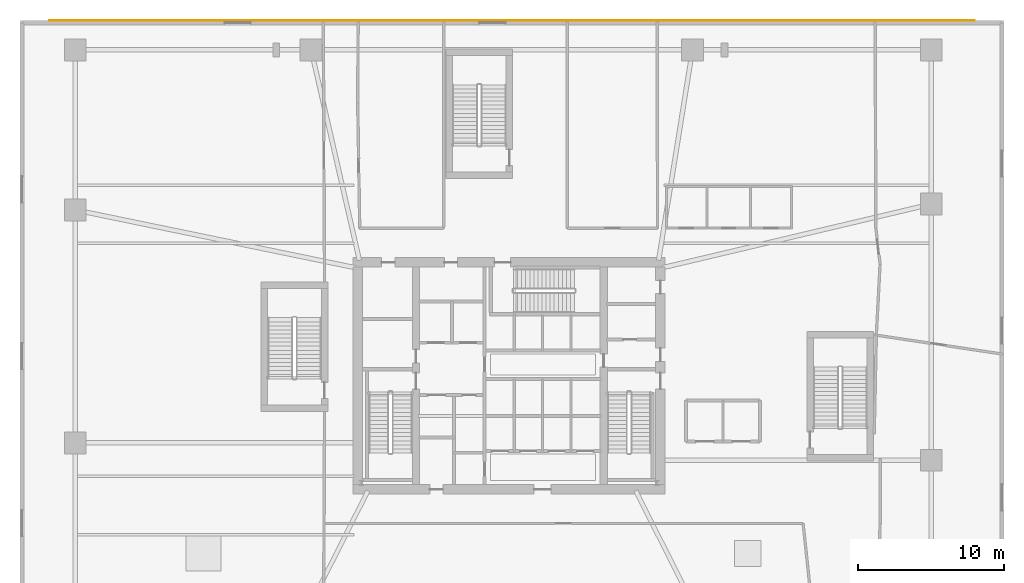
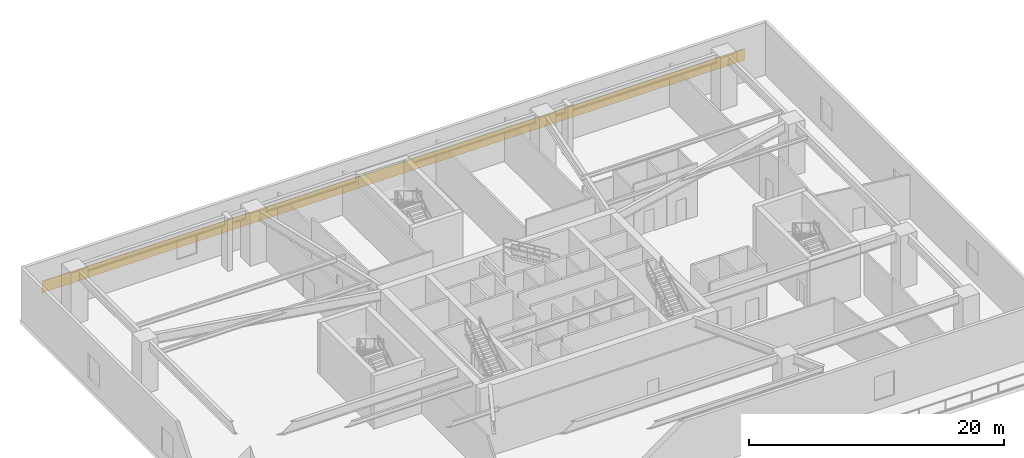
# One storey, part 11 of 11: 1 covering.
"""IFC4 building model written with IfcOpenShell, lengths in metres."""

import ifcopenshell
import ifcopenshell.guid

model = None  # the IFC model being written
_history = None  # IfcOwnerHistory: only IFC2X3 demands one
_inside = {}  # id of a spatial element -> (the spatial element, [elements in it])
_under = {}  # id of a project, library or spatial element -> (it, [spatial elements below it])
_declared = {}  # id of a project -> (the project, [libraries it declares])
_typed = {}  # id of a type object -> (the type object, [elements of that type])
_made_of = {}  # id of a material, layer set ... -> (it, [elements and type objects made of it])


def new_model(schema):
    """Start an empty IFC model of exactly this schema.

    Asked for "IFC4X3", IfcOpenShell would pick the latest addendum, in which some entities
    have other attributes; the version numbers below select the first issue.
    IFC2X3 requires an IfcOwnerHistory on every rooted entity: one is made here for all.
    """
    global model, _history
    if schema == "IFC4X3":
        model = ifcopenshell.file(schema_version=(4, 3, 0, 0))
    else:
        model = ifcopenshell.file(schema=schema)
    _inside.clear()
    _under.clear()
    _declared.clear()
    _typed.clear()
    _made_of.clear()
    _history = None
    if model.schema == "IFC2X3":
        org = make("IfcOrganization", Name="unknown")
        user = make(
            "IfcPersonAndOrganization",
            ThePerson=make("IfcPerson", FamilyName="unknown"),
            TheOrganization=org,
        )
        app = make(
            "IfcApplication",
            ApplicationDeveloper=org,
            Version="unknown",
            ApplicationFullName="unknown",
            ApplicationIdentifier="unknown",
        )
        _history = make(
            "IfcOwnerHistory",
            OwningUser=user,
            OwningApplication=app,
            ChangeAction="ADDED",
            CreationDate=0,
        )
    return model


def make(cls, **values):
    """One entity of the class cls with the attributes given. An attribute that is None is left unset."""
    return model.create_entity(
        cls, **{name: value for name, value in values.items() if value is not None}
    )


def rooted(cls, **values):
    """An entity with a GlobalId (a new one), such as an element, a storey or a relation."""
    return make(cls, GlobalId=ifcopenshell.guid.new(), OwnerHistory=_history, **values)


def si_unit(unit_type, name, prefix=None):
    """IfcSIUnit, for example si_unit("LENGTHUNIT", "METRE", prefix="MILLI")."""
    return make("IfcSIUnit", UnitType=unit_type, Prefix=prefix, Name=name)


def assignment(units):
    """IfcUnitAssignment: the units of a project."""
    return None if units is None else make("IfcUnitAssignment", Units=units)


def point(xyz):
    """IfcCartesianPoint."""
    return None if xyz is None else make("IfcCartesianPoint", Coordinates=xyz)


def direction(xyz):
    """IfcDirection."""
    return None if xyz is None else make("IfcDirection", DirectionRatios=xyz)


def frame(location, z_axis=None, x_axis=None):
    """IfcAxis2Placement3D, a coordinate frame: its origin and axes. An axis left out is left unset."""
    return make(
        "IfcAxis2Placement3D",
        Location=point(location),
        Axis=direction(z_axis),
        RefDirection=direction(x_axis),
    )


def frame_2d(location, x_axis=None):
    """IfcAxis2Placement2D, a coordinate frame in the plane: its origin and x axis."""
    return make(
        "IfcAxis2Placement2D", Location=point(location), RefDirection=direction(x_axis)
    )


def origin():
    """The frame at (0, 0, 0) with its axes left unset."""
    return frame((0.0, 0.0, 0.0))


def origin_2d():
    """The frame at (0, 0) in the plane with its x axis left unset."""
    return frame_2d((0.0, 0.0))


def place(relative_to, where):
    """IfcLocalPlacement: puts the frame where relative to a parent placement (None: the world)."""
    return make(
        "IfcLocalPlacement", PlacementRelTo=relative_to, RelativePlacement=where
    )


def context(
    kind, dimensions, precision=None, world=None, true_north=None, identifier=None
):
    """IfcGeometricRepresentationContext, for example the 3D "Model" context."""
    return make(
        "IfcGeometricRepresentationContext",
        ContextIdentifier=identifier,
        ContextType=kind,
        CoordinateSpaceDimension=dimensions,
        Precision=precision,
        WorldCoordinateSystem=world,
        TrueNorth=true_north,
    )


def subcontext(parent, identifier, kind, view, scale=None):
    """IfcGeometricRepresentationSubContext, for example "Body" below "Model"."""
    return make(
        "IfcGeometricRepresentationSubContext",
        ContextIdentifier=identifier,
        ContextType=kind,
        ParentContext=parent,
        TargetScale=scale,
        TargetView=view,
    )


def project(units=None, contexts=None):
    """IfcProject with its units and contexts."""
    return rooted(
        "IfcProject",
        Name="project",
        RepresentationContexts=contexts,
        UnitsInContext=assignment(units),
    )


def spatial(cls, under=None, at=None, **own):
    """A site, building, storey or space (cls), placed at a placement, below another one or the project."""
    s = rooted(cls, ObjectPlacement=at, **own)
    if under is not None:
        _under.setdefault(under.id(), (under, []))[1].append(s)
    return s


def profile(cls, at=None, kind="AREA", **sizes):
    """A parametric profile (cls). Its sizes go by their IFC names, for example OverallWidth=200.0."""
    return make(cls, ProfileType=kind, Position=at, **sizes)


def rectangle(**sizes):
    """IfcRectangleProfileDef."""
    return profile("IfcRectangleProfileDef", **sizes)


def extrude(swept, where, along, depth):
    """IfcExtrudedAreaSolid: the profile swept, set in the frame where, extruded along a direction by depth."""
    return make(
        "IfcExtrudedAreaSolid",
        SweptArea=swept,
        Position=where,
        ExtrudedDirection=direction(along),
        Depth=depth,
    )


def shape(context_of_items, identifier, shape_type, items):
    """IfcShapeRepresentation: the items that make up one representation, for example the "Body"."""
    return make(
        "IfcShapeRepresentation",
        ContextOfItems=context_of_items,
        RepresentationIdentifier=identifier,
        RepresentationType=shape_type,
        Items=items,
    )


def material(Name=None, Category=None):
    """IfcMaterial."""
    return make("IfcMaterial", Name=Name, Category=Category)


def layer(
    of_material, thickness, ventilated=None, Name=None, Category=None, Priority=None
):
    """IfcMaterialLayer: one layer of a wall or slab, of a material (None: an air gap)."""
    return make(
        "IfcMaterialLayer",
        Material=of_material,
        LayerThickness=thickness,
        IsVentilated=ventilated,
        Name=Name,
        Category=Category,
        Priority=Priority,
    )


def layer_set(layers, Name=None):
    """IfcMaterialLayerSet."""
    return make("IfcMaterialLayerSet", MaterialLayers=layers, LayerSetName=Name)


def made_of(thing, what):
    """Note that an element or type object is made of a material, layer set ...; save() writes the relation."""
    if what is not None:
        _made_of.setdefault(what.id(), (what, []))[1].append(thing)
    return thing


def type_object(cls, material=None, **own):
    """A type object (cls), such as IfcWallType, which elements share."""
    return made_of(rooted(cls, **own), material)


def element(
    cls,
    number,
    at=None,
    inside=None,
    cuts=None,
    type_object=None,
    material=None,
    context=None,
    identifier="Body",
    shape_type=None,
    held_by="IfcProductDefinitionShape",
    body=None,
    shapes=None,
    **own,
):
    """One element of the class cls, such as IfcWall. Its Tag is "e" and its number.

    at: its placement. inside: the storey or other place that contains it. cuts: it is an
    opening in that element (IfcRelVoidsElement). A single representation is given by context,
    identifier, shape_type and body (its items); several are given by shapes. held_by: the class
    of the entity that holds the representations. save() writes the other relations.
    """
    e = rooted(cls, Tag="e%d" % number, ObjectPlacement=at, **own)
    if body is not None:
        shapes = [shape(context, identifier, shape_type, body)]
    if shapes is not None:
        e.Representation = make(held_by, Representations=shapes)
    if inside is not None:
        _inside.setdefault(inside.id(), (inside, []))[1].append(e)
    if cuts is not None:
        rooted(
            "IfcRelVoidsElement", RelatingBuildingElement=cuts, RelatedOpeningElement=e
        )
    if type_object is not None:
        _typed.setdefault(type_object.id(), (type_object, []))[1].append(e)
    return made_of(e, material)


def aggregate(whole, parts):
    """IfcRelAggregates: a whole, such as a stair, and the parts it consists of."""
    return rooted("IfcRelAggregates", RelatingObject=whole, RelatedObjects=parts)


def save(model, path):
    """Write the relations noted so far, then the file.

    IfcRelAggregates (storeys below a building ...), IfcRelContainedInSpatialStructure (elements
    in a storey), IfcRelDefinesByType, IfcRelAssociatesMaterial and IfcRelDeclares: one each for
    every whole, place, type object, material and project.
    """
    for whole, parts in _under.values():
        aggregate(whole, parts)
    for where, things in _inside.values():
        rooted(
            "IfcRelContainedInSpatialStructure",
            RelatedElements=things,
            RelatingStructure=where,
        )
    for kind, things in _typed.values():
        rooted("IfcRelDefinesByType", RelatedObjects=things, RelatingType=kind)
    for what, things in _made_of.values():
        rooted("IfcRelAssociatesMaterial", RelatedObjects=things, RelatingMaterial=what)
    for by, libraries in _declared.values():
        rooted("IfcRelDeclares", RelatingContext=by, RelatedDefinitions=libraries)
    model.write(path)


model = new_model("IFC4")

# Units and contexts
model_context = context("Model", 3, precision=1e-05, world=origin(), true_north=direction((0.0, 1.0)))
body_context = subcontext(model_context, "Body", "Model", "MODEL_VIEW")
ifc_project = project(units=[si_unit("LENGTHUNIT", "METRE"), si_unit("AREAUNIT", "SQUARE_METRE"), si_unit("VOLUMEUNIT", "CUBIC_METRE"), si_unit("PLANEANGLEUNIT", "RADIAN"), si_unit("MASSUNIT", "GRAM", prefix="KILO")], contexts=[model_context])

# Site, building, storey
site_placement = place(None, origin())
site = spatial("IfcSite", under=ifc_project, at=site_placement, CompositionType="ELEMENT")
building_placement = place(site_placement, origin())
building = spatial("IfcBuilding", under=site, at=building_placement, Name="Qarnah Convention Tower", CompositionType="ELEMENT")
storey_placement = place(building_placement, frame((0.0, 0.0, 10.800048828125)))
storey = spatial("IfcBuildingStorey", under=building, at=storey_placement, Name="L02", CompositionType="ELEMENT", Elevation=10.800048828125)

# Covering
ifc_material = material(Name="Precast concrete C45/55", Category="concrete")
ifc_layer = layer(ifc_material, 0.06005859375)
ifc_layer_set = layer_set([ifc_layer], Name="Precast concrete C45/55")
covering_type = type_object("IfcCoveringType", Name="COV-CLAD-60", PredefinedType="CLADDING", material=ifc_layer_set)
covering_placement = place(storey_placement, frame((37.39990234375, 50.820068359375, 1.849853515625), z_axis=(0.0, 0.0, 1.0), x_axis=(1.0, 0.0, 0.0)))
element("IfcCovering", 1, at=covering_placement, inside=storey, type_object=covering_type, Name="L02 limestone precast spandrel cladding", PredefinedType="CLADDING", context=body_context, shape_type="SweptSolid", body=[
    extrude(rectangle(XDim=63.60009765625, YDim=0.06005859375, at=origin_2d()), origin(), (0.0, 0.0, 1.0), 1.10009765625),
])

save(model, "model.ifc")
